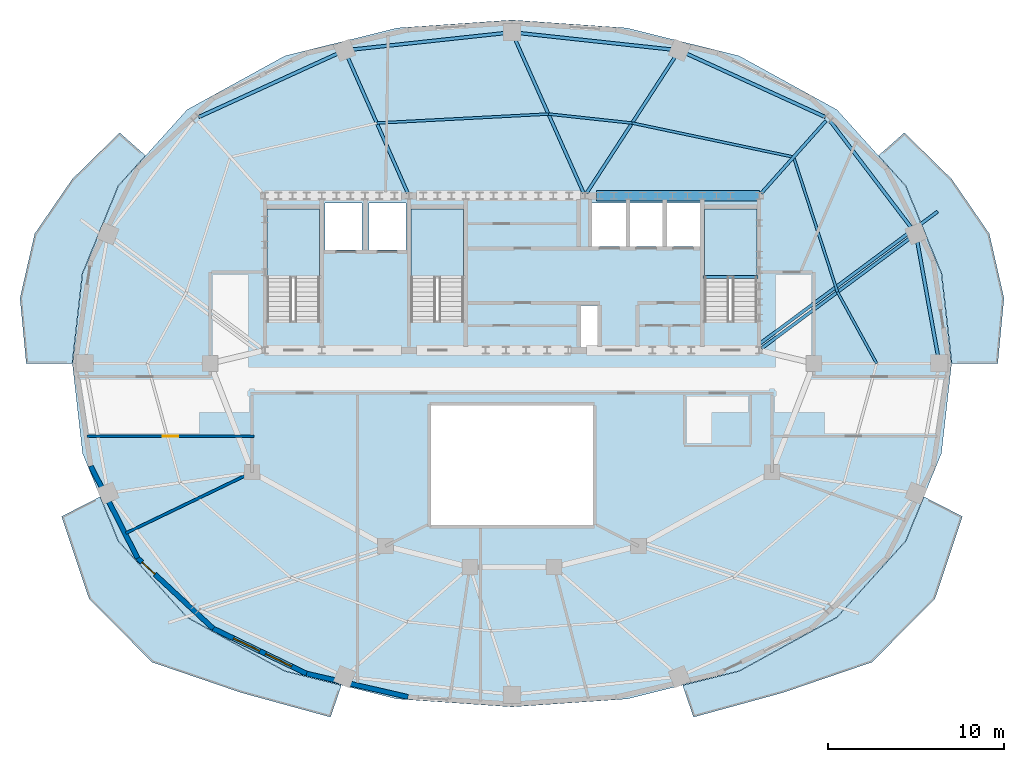
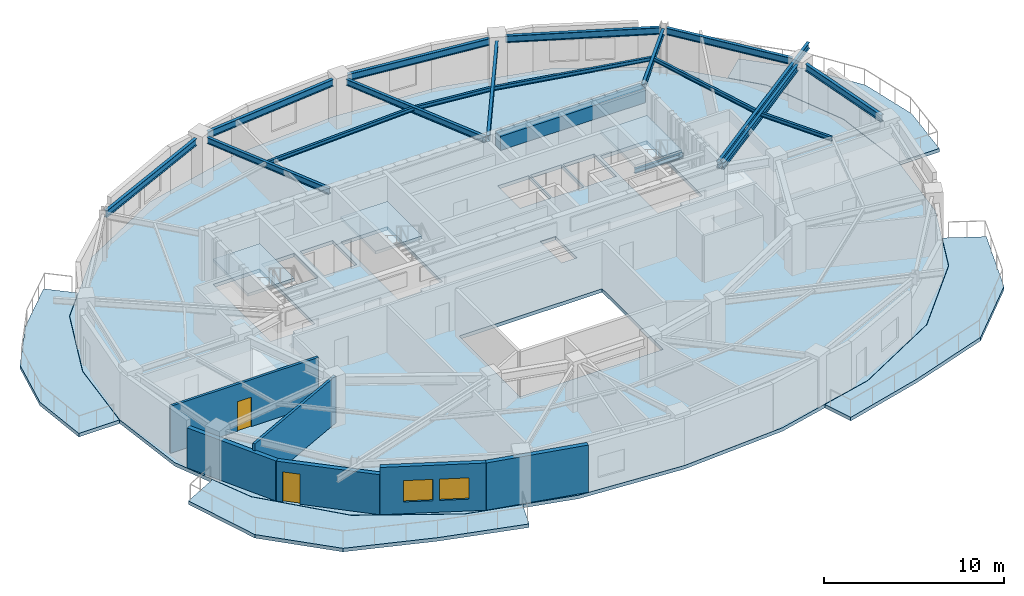
# One storey, part 3 of 10: 19 beams, 8 slabs, 6 walls, 2 doors, 2 windows, 4 openings, 3 elements without a shape of their own.
"""IFC4 building model written with IfcOpenShell, lengths in metres."""

from ifc_helpers import new_model, si_unit, direction, frame, frame_2d, origin, origin_2d, place, context, subcontext, project, spatial, polyline, rectangle, i_section, outline, extrude, material, layer, layer_set, material_profile, profile_set, type_object, element, fill, aggregate, save


model = new_model("IFC4")

# Units and contexts
model_context = context("Model", 3, precision=1e-05, world=origin(), true_north=direction((0.0, 1.0)))
body_context = subcontext(model_context, "Body", "Model", "MODEL_VIEW")
ifc_project = project(units=[si_unit("LENGTHUNIT", "METRE"), si_unit("AREAUNIT", "SQUARE_METRE"), si_unit("VOLUMEUNIT", "CUBIC_METRE"), si_unit("PLANEANGLEUNIT", "RADIAN"), si_unit("MASSUNIT", "GRAM", prefix="KILO")], contexts=[model_context])

# Site, building, storey
site_placement = place(None, origin())
site = spatial("IfcSite", under=ifc_project, at=site_placement, CompositionType="ELEMENT")
building_placement = place(site_placement, origin())
building = spatial("IfcBuilding", under=site, at=building_placement, Name="Haldorwick Loom Tower", CompositionType="ELEMENT")
storey_placement = place(building_placement, frame((0.0, 0.0, 259.199951171875)))
storey = spatial("IfcBuildingStorey", under=building, at=storey_placement, Name="L70", CompositionType="ELEMENT", Elevation=259.199951171875)

# Beams
ifc_material_1 = material(Name="Steel CSA G40.21 350W", Category="steel")
ifc_material_profile_1 = material_profile(ifc_material_1, i_section(OverallWidth=0.179931640625, OverallDepth=0.4130859375, WebThickness=0.009765625, FlangeThickness=0.01611328125, at=origin_2d()), Name="W410X74", Category="steel")
ifc_profile_set_1 = profile_set([ifc_material_profile_1], Name="Steel CSA G40.21 350W")
beam_type_1 = type_object("IfcBeamType", Name="STR-BM-BAL410", PredefinedType="BEAM", material=ifc_profile_set_1)
beam_1_placement = place(storey_placement, frame((50.040771484375, 27.076904296875, 3.003662109375), z_axis=(0.802796921865, 0.596252549046, 0.0), x_axis=(-0.596252549046, 0.802796921865, 0.0)))
element("IfcBeam", 1, at=beam_1_placement, inside=storey, type_object=beam_type_1, Name="L70 Continuous Back-Spanned Balcony Beam 4", PredefinedType="BEAM", context=body_context, shape_type="SweptSolid", body=[
    extrude(i_section(OverallWidth=0.179931640625, OverallDepth=0.4130859375, WebThickness=0.009765625, FlangeThickness=0.01611328125, at=origin_2d()), origin(), (0.0, 0.0, 1.0), 12.7080078125),
])
ifc_material_2 = material(Name="Concrete C50 (50 MPa)", Category="concrete")
ifc_material_profile_2 = material_profile(ifc_material_2, rectangle(XDim=0.60009765625, YDim=0.949951171875, at=origin_2d()), Name="RC600X950", Category="concrete")
ifc_profile_set_2 = profile_set([ifc_material_profile_2], Name="Concrete C50 (50 MPa)")
beam_type_2 = type_object("IfcBeamType", Name="STR-BM-CB950", PredefinedType="LINTEL", material=ifc_profile_set_2)
beam_2_placement = place(storey_placement, frame((40.800048828125, 35.550048828125, 2.735107421875), z_axis=(1.0, 0.0, 0.0), x_axis=(0.0, 1.0, 0.0)))
element("IfcBeam", 2, at=beam_2_placement, inside=storey, type_object=beam_type_2, Name="L70 Core Coupling Beam CB-N3", PredefinedType="LINTEL", context=body_context, shape_type="SweptSolid", body=[
    extrude(rectangle(XDim=0.60009765625, YDim=0.949951171875, at=origin_2d()), origin(), (0.0, 0.0, 1.0), 9.300048828125),
])
ifc_material_profile_3 = material_profile(ifc_material_1, i_section(OverallWidth=0.14599609375, OverallDepth=0.258056640625, WebThickness=0.006103515625, FlangeThickness=0.009033203125, at=origin_2d()), Name="W250X33", Category="steel")
ifc_profile_set_3 = profile_set([ifc_material_profile_3], Name="Steel CSA G40.21 350W")
beam_type_3 = type_object("IfcBeamType", Name="STR-BM-J250", PredefinedType="JOIST", material=ifc_profile_set_3)
beam_3_placement = place(storey_placement, frame((56.768310546875, 26.0, 3.0810546875), z_axis=(-0.480863931781, 0.876795232145, 0.0), x_axis=(-0.876795232145, -0.480863931781, 0.0)))
element("IfcBeam", 3, at=beam_3_placement, inside=storey, type_object=beam_type_3, Name="L70 Mid-Bay Secondary Joist 1", PredefinedType="JOIST", context=body_context, shape_type="SweptSolid", body=[
    extrude(i_section(OverallWidth=0.14599609375, OverallDepth=0.258056640625, WebThickness=0.006103515625, FlangeThickness=0.009033203125, at=origin_2d()), origin(), (0.0, 0.0, 1.0), 4.639404296875),
])
beam_4_placement = place(storey_placement, frame((54.537353515625, 30.06787109375, 3.0810546875), z_axis=(-0.309277990337, 0.95097167397, 0.0), x_axis=(-0.95097167397, -0.309277990337, 0.0)))
element("IfcBeam", 4, at=beam_4_placement, inside=storey, type_object=beam_type_3, Name="L70 Mid-Bay Secondary Joist 2", PredefinedType="JOIST", context=body_context, shape_type="SweptSolid", body=[
    extrude(i_section(OverallWidth=0.14599609375, OverallDepth=0.258056640625, WebThickness=0.006103515625, FlangeThickness=0.009033203125, at=origin_2d()), origin(), (0.0, 0.0, 1.0), 8.08251953125),
])
beam_5_placement = place(storey_placement, frame((52.03759765625, 37.754150390625, 3.0810546875), z_axis=(-0.978553918403, 0.205990846344, 0.0), x_axis=(-0.205990846344, -0.978553918403, 0.0)))
element("IfcBeam", 5, at=beam_5_placement, inside=storey, type_object=beam_type_3, Name="L70 Mid-Bay Secondary Joist 3", PredefinedType="JOIST", context=body_context, shape_type="SweptSolid", body=[
    extrude(i_section(OverallWidth=0.14599609375, OverallDepth=0.258056640625, WebThickness=0.006103515625, FlangeThickness=0.009033203125, at=origin_2d()), origin(), (0.0, 0.0, 1.0), 9.39990234375),
])
beam_6_placement = place(storey_placement, frame((42.83935546875, 39.6904296875, 3.0810546875), z_axis=(-0.994216460534, 0.10739473732, 0.0), x_axis=(-0.10739473732, -0.994216460534, 0.0)))
element("IfcBeam", 6, at=beam_6_placement, inside=storey, type_object=beam_type_3, Name="L70 Mid-Bay Secondary Joist 4", PredefinedType="JOIST", context=body_context, shape_type="SweptSolid", body=[
    extrude(i_section(OverallWidth=0.14599609375, OverallDepth=0.258056640625, WebThickness=0.006103515625, FlangeThickness=0.009033203125, at=origin_2d()), origin(), (0.0, 0.0, 1.0), 4.792236328125),
])
beam_7_placement = place(storey_placement, frame((38.074951171875, 40.205078125, 3.0810546875), z_axis=(-0.998616726661, -0.052579779693, 0.0), x_axis=(0.052579779693, -0.998616726661, 0.0)))
element("IfcBeam", 7, at=beam_7_placement, inside=storey, type_object=beam_type_3, Name="L70 Mid-Bay Secondary Joist 5", PredefinedType="JOIST", context=body_context, shape_type="SweptSolid", body=[
    extrude(i_section(OverallWidth=0.14599609375, OverallDepth=0.258056640625, WebThickness=0.006103515625, FlangeThickness=0.009033203125, at=origin_2d()), origin(), (0.0, 0.0, 1.0), 9.787841796875),
])
ifc_material_profile_4 = material_profile(ifc_material_1, i_section(OverallWidth=0.179931640625, OverallDepth=0.4130859375, WebThickness=0.009765625, FlangeThickness=0.01611328125, at=origin_2d()), Name="W410X74", Category="steel")
ifc_profile_set_4 = profile_set([ifc_material_profile_4], Name="Steel CSA G40.21 350W")
beam_type_4 = type_object("IfcBeamType", Name="STR-BM-J410", PredefinedType="JOIST", material=ifc_profile_set_4)
beam_8_placement = place(storey_placement, frame((50.207763671875, 26.852294921875, 3.003662109375), z_axis=(0.802802773234, 0.596244670658, 0.0), x_axis=(-0.596244670658, 0.802802773234, 0.0)))
element("IfcBeam", 8, at=beam_8_placement, inside=storey, type_object=beam_type_4, Name="L70 Radial Floor Girder 2", PredefinedType="JOIST", context=body_context, shape_type="SweptSolid", body=[
    extrude(i_section(OverallWidth=0.179931640625, OverallDepth=0.4130859375, WebThickness=0.009765625, FlangeThickness=0.01611328125, at=origin_2d()), origin(), (0.0, 0.0, 1.0), 10.482666015625),
])
beam_9_placement = place(storey_placement, frame((50.18408203125, 35.677978515625, 3.003662109375), z_axis=(0.665970391236, 0.745978175282, 0.0), x_axis=(-0.745978175282, 0.665970391236, 0.0)))
element("IfcBeam", 9, at=beam_9_placement, inside=storey, type_object=beam_type_4, Name="L70 Radial Floor Girder 3", PredefinedType="JOIST", context=body_context, shape_type="SweptSolid", body=[
    extrude(i_section(OverallWidth=0.179931640625, OverallDepth=0.4130859375, WebThickness=0.009765625, FlangeThickness=0.01611328125, at=origin_2d()), origin(), (0.0, 0.0, 1.0), 5.559814453125),
])
beam_10_placement = place(storey_placement, frame((40.243408203125, 35.69384765625, 3.003662109375), z_axis=(0.544714921264, 0.838621281958, 0.0), x_axis=(-0.838621281958, 0.544714921264, 0.0)))
element("IfcBeam", 10, at=beam_10_placement, inside=storey, type_object=beam_type_4, Name="L70 Radial Floor Girder 4", PredefinedType="JOIST", context=body_context, shape_type="SweptSolid", body=[
    extrude(i_section(OverallWidth=0.179931640625, OverallDepth=0.4130859375, WebThickness=0.009765625, FlangeThickness=0.01611328125, at=origin_2d()), origin(), (0.0, 0.0, 1.0), 9.22802734375),
])
beam_11_placement = place(storey_placement, frame((40.080078125, 35.70654296875, 3.003662109375), z_axis=(-0.407125301808, 0.913372316543, 0.0), x_axis=(-0.913372316543, -0.407125301808, 0.0)))
element("IfcBeam", 11, at=beam_11_placement, inside=storey, type_object=beam_type_4, Name="L70 Radial Floor Girder 5", PredefinedType="JOIST", context=body_context, shape_type="SweptSolid", body=[
    extrude(i_section(OverallWidth=0.179931640625, OverallDepth=0.4130859375, WebThickness=0.009765625, FlangeThickness=0.01611328125, at=origin_2d()), origin(), (0.0, 0.0, 1.0), 9.546630859375),
])
beam_12_placement = place(storey_placement, frame((30.060791015625, 35.706787109375, 3.003662109375), z_axis=(-0.404157067806, 0.914689600106, 0.0), x_axis=(-0.914689600106, -0.404157067806, 0.0)))
element("IfcBeam", 12, at=beam_12_placement, inside=storey, type_object=beam_type_4, Name="L70 Radial Floor Girder 6", PredefinedType="JOIST", context=body_context, shape_type="SweptSolid", body=[
    extrude(i_section(OverallWidth=0.179931640625, OverallDepth=0.4130859375, WebThickness=0.009765625, FlangeThickness=0.01611328125, at=origin_2d()), origin(), (0.0, 0.0, 1.0), 8.406982421875),
])
ifc_material_profile_5 = material_profile(ifc_material_1, i_section(OverallWidth=0.193115234375, OverallDepth=0.466064453125, WebThickness=0.011474609375, FlangeThickness=0.01904296875, at=origin_2d()), Name="W460X97", Category="steel")
ifc_profile_set_5 = profile_set([ifc_material_profile_5], Name="Steel CSA G40.21 350W")
beam_type_5 = type_object("IfcBeamType", Name="STR-BM-SP460", PredefinedType="SPANDREL", material=ifc_profile_set_5)
beam_13_placement = place(storey_placement, frame((60.25244140625, 26.467529296875, 2.97705078125), z_axis=(-0.177515201984, 0.984118058499, 0.0), x_axis=(-0.984118058499, -0.177515201984, 0.0)))
element("IfcBeam", 13, at=beam_13_placement, inside=storey, type_object=beam_type_5, Name="L70 Perimeter Spandrel 1", PredefinedType="SPANDREL", context=body_context, shape_type="SweptSolid", body=[
    extrude(i_section(OverallWidth=0.193115234375, OverallDepth=0.466064453125, WebThickness=0.011474609375, FlangeThickness=0.01904296875, at=origin_2d()), origin(), (0.0, 0.0, 1.0), 6.5546875),
])
beam_14_placement = place(storey_placement, frame((58.717041015625, 33.763916015625, 2.97705078125), z_axis=(-0.605410439126, 0.795913437629, 0.0), x_axis=(-0.795913437629, -0.605410439126, 0.0)))
element("IfcBeam", 14, at=beam_14_placement, inside=storey, type_object=beam_type_5, Name="L70 Perimeter Spandrel 2", PredefinedType="SPANDREL", context=body_context, shape_type="SweptSolid", body=[
    extrude(i_section(OverallWidth=0.193115234375, OverallDepth=0.466064453125, WebThickness=0.011474609375, FlangeThickness=0.01904296875, at=origin_2d()), origin(), (0.0, 0.0, 1.0), 7.604736328125),
])
beam_15_placement = place(storey_placement, frame((53.84326171875, 40.0322265625, 2.97705078125), z_axis=(-0.909567887863, 0.415555360172, 0.0), x_axis=(-0.415555360172, -0.909567887863, 0.0)))
element("IfcBeam", 15, at=beam_15_placement, inside=storey, type_object=beam_type_5, Name="L70 Perimeter Spandrel 3", PredefinedType="SPANDREL", context=body_context, shape_type="SweptSolid", body=[
    extrude(i_section(OverallWidth=0.193115234375, OverallDepth=0.466064453125, WebThickness=0.011474609375, FlangeThickness=0.01904296875, at=origin_2d()), origin(), (0.0, 0.0, 1.0), 8.666259765625),
])
for number, where, z_axis, x_axis, name in (
    (16, (45.056396484375, 43.8818359375, 2.97705078125), (-0.994216353781, 0.107395725588, 0.0), (-0.107395725588, -0.994216353781, 0.0), "L70 Perimeter Spandrel 4"),
    (17, (35.527587890625, 44.80908203125, 2.97705078125), (-0.994216353781, -0.107395725588, 0.0), (0.107395725588, -0.994216353781, 0.0), "L70 Perimeter Spandrel 5"),
):
    element("IfcBeam", number, at=place(storey_placement, frame(where, z_axis=z_axis, x_axis=x_axis)), inside=storey, type_object=beam_type_5, Name=name, PredefinedType="SPANDREL", context=body_context, shape_type="SweptSolid", body=[
        extrude(i_section(OverallWidth=0.193115234375, OverallDepth=0.466064453125, WebThickness=0.011474609375, FlangeThickness=0.01904296875, at=origin_2d()), origin(), (0.0, 0.0, 1.0), 8.634033203125),
    ])
beam_16_placement = place(storey_placement, frame((26.039306640625, 43.633544921875, 2.97705078125), z_axis=(-0.909567887863, -0.415555360172, 0.0), x_axis=(0.415555360172, -0.909567887863, 0.0)))
element("IfcBeam", 18, at=beam_16_placement, inside=storey, type_object=beam_type_5, Name="L70 Perimeter Spandrel 6", PredefinedType="SPANDREL", context=body_context, shape_type="SweptSolid", body=[
    extrude(i_section(OverallWidth=0.193115234375, OverallDepth=0.466064453125, WebThickness=0.011474609375, FlangeThickness=0.01904296875, at=origin_2d()), origin(), (0.0, 0.0, 1.0), 8.666259765625),
])
ifc_material_profile_6 = material_profile(ifc_material_1, i_section(OverallWidth=0.166015625, OverallDepth=0.31298828125, WebThickness=0.006591796875, FlangeThickness=0.01123046875, at=origin_2d()), Name="W310X45", Category="steel")
ifc_profile_set_6 = profile_set([ifc_material_profile_6], Name="Steel CSA G40.21 350W")
beam_type_6 = type_object("IfcBeamType", Name="STR-BM-STRM", PredefinedType="BEAM", material=ifc_profile_set_6)
beam_17_placement = place(storey_placement, frame((46.889892578125, 30.919921875, 1.36865234375), z_axis=(1.0, 0.0, 0.0), x_axis=(0.0, 1.0, 0.0)))
element("IfcBeam", 19, at=beam_17_placement, inside=storey, type_object=beam_type_6, Name="L70 Stair ST-02 Half-Landing Trimmer 1", PredefinedType="BEAM", context=body_context, shape_type="SweptSolid", body=[
    extrude(i_section(OverallWidth=0.166015625, OverallDepth=0.31298828125, WebThickness=0.006591796875, FlangeThickness=0.01123046875, at=origin_2d()), origin(), (0.0, 0.0, 1.0), 3.1201171875),
])

# Slabs
ifc_material_3 = material(Name="Concrete C40 (40 MPa)", Category="concrete")
ifc_layer_1 = layer(ifc_material_3, 0.239990234375, Name="Concrete C40 (40 MPa)", Category="concrete")
ifc_layer_set_1 = layer_set([ifc_layer_1], Name="Concrete C40 (40 MPa)")
slab_type_1 = type_object("IfcSlabType", Name="STR-SLB-BAL240", PredefinedType="FLOOR", material=ifc_layer_set_1)
slab_1_placement = place(storey_placement, frame((0.0, 0.0, -0.239990234375)))
element("IfcSlab", 20, at=slab_1_placement, inside=storey, type_object=slab_type_1, Name="L70 Sinusoidal Balcony Terrace BAL_SE", PredefinedType="FLOOR", context=body_context, shape_type="SweptSolid", body=[
    extrude(outline(polyline([(59.459716796875, 18.406494140625), (58.427978515625, 15.88427734375), (58.427490234375, 15.883056640625), (58.4267578125, 15.882080078125), (58.426025390625, 15.881103515625), (58.42529296875, 15.8798828125), (54.51123046875, 11.53662109375), (54.51025390625, 11.535400390625), (54.5087890625, 11.534423828125), (54.50732421875, 11.53369140625), (48.947998046875, 8.475830078125), (48.947021484375, 8.475341796875), (48.94580078125, 8.474853515625), (48.9443359375, 8.474365234375), (45.71826171875, 7.6689453125), (46.336181640625, 5.855224609375), (51.416748046875, 7.248291015625), (56.5009765625, 8.985595703125), (60.086669921875, 12.603271484375), (61.65380859375, 17.28466796875), (59.459716796875, 18.406494140625)])), origin(), (0.0, 0.0, 1.0), 0.239990234375),
])
slab_2_placement = place(storey_placement, frame((0.0, 0.0, -0.239990234375)))
element("IfcSlab", 21, at=slab_2_placement, inside=storey, type_object=slab_type_1, Name="L70 Sinusoidal Balcony Terrace BAL_SW", PredefinedType="FLOOR", context=body_context, shape_type="SweptSolid", body=[
    extrude(outline(polyline([(26.28173828125, 7.6689453125), (23.0556640625, 8.474365234375), (23.05419921875, 8.474853515625), (23.052978515625, 8.475341796875), (23.052001953125, 8.475830078125), (17.49267578125, 11.53369140625), (17.4912109375, 11.534423828125), (17.48974609375, 11.535400390625), (17.48876953125, 11.53662109375), (13.57470703125, 15.8798828125), (13.573974609375, 15.881103515625), (13.5732421875, 15.882080078125), (13.572509765625, 15.883056640625), (13.572021484375, 15.88427734375), (12.540283203125, 18.406494140625), (10.34619140625, 17.28466796875), (11.913330078125, 12.603271484375), (15.4990234375, 8.985595703125), (20.583251953125, 7.248291015625), (25.663818359375, 5.855224609375), (26.28173828125, 7.6689453125)])), origin(), (0.0, 0.0, 1.0), 0.239990234375),
])
slab_3_placement = place(storey_placement, frame((0.0, 0.0, -0.239990234375)))
element("IfcSlab", 22, at=slab_3_placement, inside=storey, type_object=slab_type_1, Name="L70 Sinusoidal Balcony Terrace BAL_WNW", PredefinedType="FLOOR", context=body_context, shape_type="SweptSolid", body=[
    extrude(outline(polyline([(10.9482421875, 26.0), (10.9482421875, 26.001708984375), (11.529296875, 31.12109375), (11.529541015625, 31.12255859375), (11.530029296875, 31.123779296875), (11.530517578125, 31.125), (13.572021484375, 36.11572265625), (13.572509765625, 36.116943359375), (13.5732421875, 36.117919921875), (13.573974609375, 36.118896484375), (13.57470703125, 36.1201171875), (15.123779296875, 37.839111328125), (13.65625, 39.140625), (10.956787109375, 36.4970703125), (8.817626953125, 33.386474609375), (7.97998046875, 29.71875), (8.333251953125, 26.0), (10.9482421875, 26.0)])), origin(), (0.0, 0.0, 1.0), 0.239990234375),
])
slab_4_placement = place(storey_placement, frame((0.0, 0.0, -0.239990234375)))
element("IfcSlab", 23, at=slab_4_placement, inside=storey, type_object=slab_type_1, Name="L70 Sinusoidal Balcony Terrace BAL_ENE", PredefinedType="FLOOR", context=body_context, shape_type="SweptSolid", body=[
    extrude(outline(polyline([(56.876220703125, 37.839111328125), (58.42529296875, 36.1201171875), (58.426025390625, 36.118896484375), (58.4267578125, 36.117919921875), (58.427490234375, 36.116943359375), (58.427978515625, 36.11572265625), (60.469482421875, 31.125), (60.469970703125, 31.123779296875), (60.470458984375, 31.12255859375), (60.470703125, 31.12109375), (61.0517578125, 26.001708984375), (61.0517578125, 26.0), (63.666748046875, 26.0), (64.02001953125, 29.71875), (63.182373046875, 33.386474609375), (61.043212890625, 36.4970703125), (58.34375, 39.140625), (56.876220703125, 37.839111328125)])), origin(), (0.0, 0.0, 1.0), 0.239990234375),
])

# Stair, slab
stair_type = type_object("IfcStairType", Name="STR-STR-CORE", PredefinedType="HALF_TURN_STAIR", material=ifc_material_3)
stair_1_placement = place(storey_placement, origin())
stair_1 = element("IfcStair", 24, at=stair_1_placement, inside=storey, type_object=stair_type, Name="L70 Exit Stair ST-01", PredefinedType="HALF_TURN_STAIR")
ifc_layer_2 = layer(ifc_material_3, 0.199951171875, Name="Concrete C40 (40 MPa)", Category="concrete")
ifc_layer_set_2 = layer_set([ifc_layer_2], Name="Concrete C40 (40 MPa)")
slab_type_2 = type_object("IfcSlabType", Name="STR-SLB-LAND200", PredefinedType="LANDING", material=ifc_layer_set_2)
slab_5_placement = place(storey_placement, frame((0.0, 0.0, 1.525146484375)))
slab_5 = element("IfcSlab", 25, at=slab_5_placement, type_object=slab_type_2, Name="ST-01 landing 1", PredefinedType="LANDING", context=body_context, shape_type="SweptSolid", body=[
    extrude(outline(polyline([(25.050048828125, 30.919921875), (25.050048828125, 34.800048828125), (22.050048828125, 34.800048828125), (22.050048828125, 30.919921875), (25.050048828125, 30.919921875)])), origin(), (0.0, 0.0, 1.0), 0.199951171875),
])
aggregate(stair_1, [slab_5])

stair_2_placement = place(storey_placement, origin())
stair_2 = element("IfcStair", 26, at=stair_2_placement, inside=storey, type_object=stair_type, Name="L70 Exit Stair ST-02", PredefinedType="HALF_TURN_STAIR")
slab_6_placement = place(storey_placement, frame((0.0, 0.0, 1.525146484375)))
slab_6 = element("IfcSlab", 27, at=slab_6_placement, type_object=slab_type_2, Name="ST-02 landing 1", PredefinedType="LANDING", context=body_context, shape_type="SweptSolid", body=[
    extrude(outline(polyline([(49.949951171875, 30.919921875), (49.949951171875, 34.800048828125), (46.949951171875, 34.800048828125), (46.949951171875, 30.919921875), (49.949951171875, 30.919921875)])), origin(), (0.0, 0.0, 1.0), 0.199951171875),
])
aggregate(stair_2, [slab_6])

stair_3_placement = place(storey_placement, origin())
stair_3 = element("IfcStair", 28, at=stair_3_placement, inside=storey, type_object=stair_type, Name="L70 Exit Stair ST-03", PredefinedType="HALF_TURN_STAIR")
slab_7_placement = place(storey_placement, frame((0.0, 0.0, 1.525146484375)))
slab_7 = element("IfcSlab", 29, at=slab_7_placement, type_object=slab_type_2, Name="ST-03 landing 1", PredefinedType="LANDING", context=body_context, shape_type="SweptSolid", body=[
    extrude(outline(polyline([(33.25, 30.919921875), (33.25, 34.800048828125), (30.25, 34.800048828125), (30.25, 30.919921875), (33.25, 30.919921875)])), origin(), (0.0, 0.0, 1.0), 0.199951171875),
])
aggregate(stair_3, [slab_7])

# Slab
ifc_layer_3 = layer(ifc_material_3, 0.239990234375, Name="Concrete C40 (40 MPa)", Category="concrete")
ifc_layer_set_3 = layer_set([ifc_layer_3], Name="Concrete C40 (40 MPa)")
slab_type_3 = type_object("IfcSlabType", Name="STR-SLB-RES240", PredefinedType="FLOOR", material=ifc_layer_set_3)
slab_8_placement = place(storey_placement, frame((0.0, 0.0, -0.239990234375)))
element("IfcSlab", 30, at=slab_8_placement, inside=storey, type_object=slab_type_3, Name="L70 Residential Structural Floor Slab", PredefinedType="FLOOR", context=body_context, shape_type="SweptSolid", body=[
    extrude(outline(polyline([(54.500244140625, 11.546630859375), (58.4140625, 15.889892578125), (60.455810546875, 20.880615234375), (61.036865234375, 26.0), (60.455810546875, 31.119384765625), (58.4140625, 36.110107421875), (54.500244140625, 40.453369140625), (48.94091796875, 43.510986328125), (42.552978515625, 45.10595703125), (36.0, 45.56005859375), (29.447021484375, 45.10595703125), (23.05908203125, 43.510986328125), (17.499755859375, 40.453369140625), (13.5859375, 36.110107421875), (11.544189453125, 31.119384765625), (10.963134765625, 26.0), (11.544189453125, 20.880615234375), (13.5859375, 15.889892578125), (17.499755859375, 11.546630859375), (23.05908203125, 8.489013671875), (29.447021484375, 6.89404296875), (36.0, 6.43994140625), (42.552978515625, 6.89404296875), (48.94091796875, 8.489013671875), (54.500244140625, 11.546630859375)]), holes=[polyline([(31.39990234375, 16.800048828125), (31.39990234375, 23.60009765625), (40.60009765625, 23.60009765625), (40.60009765625, 16.800048828125), (31.39990234375, 16.800048828125)]), polyline([(40.89990234375, 26.89990234375), (39.89990234375, 26.89990234375), (39.89990234375, 29.300048828125), (40.89990234375, 29.300048828125), (40.89990234375, 26.89990234375)]), polyline([(23.6201171875, 28.39990234375), (22.050048828125, 28.39990234375), (22.050048828125, 34.800048828125), (25.050048828125, 34.800048828125), (25.050048828125, 28.639892578125), (23.6201171875, 28.639892578125), (23.6201171875, 28.39990234375)]), polyline([(30.25, 28.39990234375), (30.25, 34.800048828125), (33.25, 34.800048828125), (33.25, 28.639892578125), (31.820068359375, 28.639892578125), (31.820068359375, 28.39990234375), (30.25, 28.39990234375)]), polyline([(46.949951171875, 28.39990234375), (46.949951171875, 34.800048828125), (49.949951171875, 34.800048828125), (49.949951171875, 28.639892578125), (48.52001953125, 28.639892578125), (48.52001953125, 28.39990234375), (46.949951171875, 28.39990234375)]), polyline([(27.449951171875, 32.449951171875), (25.35009765625, 32.449951171875), (25.35009765625, 35.14990234375), (27.449951171875, 35.14990234375), (27.449951171875, 32.449951171875)]), polyline([(29.949951171875, 32.449951171875), (27.85009765625, 32.449951171875), (27.85009765625, 35.14990234375), (29.949951171875, 35.14990234375), (29.949951171875, 32.449951171875)]), polyline([(42.550048828125, 32.64990234375), (40.550048828125, 32.64990234375), (40.550048828125, 35.14990234375), (42.550048828125, 35.14990234375), (42.550048828125, 32.64990234375)]), polyline([(42.64990234375, 32.64990234375), (42.64990234375, 35.14990234375), (44.64990234375, 35.14990234375), (44.64990234375, 32.64990234375), (42.64990234375, 32.64990234375)]), polyline([(44.75, 32.64990234375), (44.75, 35.14990234375), (46.75, 35.14990234375), (46.75, 32.64990234375), (44.75, 32.64990234375)])]), origin(), (0.0, 0.0, 1.0), 0.239990234375),
])

# Wall
ifc_material_4 = material(Name="Pressed Clay Face Brick and Insulated Masonry Backup Assembly", Category="masonry")
ifc_layer_4 = layer(ifc_material_4, 0.280029296875, Name="Pressed Clay Face Brick and Insulated Masonry Backup Assembly", Category="masonry")
ifc_layer_set_4 = layer_set([ifc_layer_4], Name="Pressed Clay Face Brick and Insulated Masonry Backup Assembly")
wall_type_1 = type_object("IfcWallType", Name="ARC-WL-EXT280", PredefinedType="STANDARD", material=ifc_layer_set_4)
wall_1_placement = place(storey_placement, frame((12.013671875, 20.151123046875, 0.0), z_axis=(0.0, 0.0, 1.0), x_axis=(0.453100705059, -0.89145933787, 0.0)))
element("IfcWall", 31, at=wall_1_placement, inside=storey, type_object=wall_type_1, Name="L70 Brick Pier and Spandrel Wall 14", PredefinedType="STANDARD", context=body_context, shape_type="SweptSolid", body=[
    extrude(rectangle(XDim=5.879150390625, YDim=0.280029296875, at=frame_2d((2.939453125, 0.0))), origin(), (0.0, 0.0, 1.0), 2.718994140625),
])

# Wall, opening, door
wall_2_placement = place(storey_placement, frame((14.677490234375, 14.91015625, 0.0), z_axis=(0.0, 0.0, 1.0), x_axis=(0.731924682982, -0.68138554317, 0.0)))
wall_2 = element("IfcWall", 32, at=wall_2_placement, inside=storey, type_object=wall_type_1, Name="L70 Brick Pier and Spandrel Wall 15", PredefinedType="STANDARD", context=body_context, shape_type="SweptSolid", body=[
    extrude(rectangle(XDim=5.87890625, YDim=0.280029296875, at=frame_2d((2.939453125, 0.0))), origin(), (0.0, 0.0, 1.0), 2.718994140625),
])
opening_1_placement = place(wall_2_placement, frame((0.340087890625, 0.0, 0.0)))
opening_1 = element("IfcOpeningElement", 33, at=opening_1_placement, cuts=wall_2, Name="Opening D-BL10", PredefinedType="OPENING", context=body_context, shape_type="SweptSolid", body=[
    extrude(rectangle(XDim=1.0, YDim=2.0400390625, at=frame_2d((0.5, 1.02001953125))), frame((0.0, 0.14990234375, 0.0), z_axis=(0.0, -1.0, 0.0), x_axis=(1.0, 0.0, 0.0)), (0.0, 0.0, 1.0), 0.300048828125),
])
ifc_material_5 = material(Name="Thermally Broken Anodized Aluminium Curtain Wall Framing", Category="aluminium")
door_type_1 = type_object("IfcDoorType", Name="ARC-DR-BAL100", OperationType="NOTDEFINED", PredefinedType="DOOR", material=ifc_material_5)
door_1_placement = place(opening_1_placement, origin())
door_1 = element("IfcDoor", 34, at=door_1_placement, inside=storey, type_object=door_type_1, Name="L70 Outdoor Terrace Door SLB-L70-BAL_SW", OperationType="SINGLE_SWING_LEFT", OverallHeight=2.0400390625, OverallWidth=1.0, PredefinedType="DOOR", context=body_context, shape_type="SweptSolid", body=[
    extrude(rectangle(XDim=1.0, YDim=2.0400390625, at=frame_2d((0.5, 1.02001953125))), frame((0.0, 0.02490234375, 0.0), z_axis=(0.0, -1.0, 0.0), x_axis=(1.0, 0.0, 0.0)), (0.0, 0.0, 1.0), 0.050048828125),
])
fill(opening_1, door_1)

# Wall, openings, windows
wall_3_placement = place(storey_placement, frame((18.98046875, 10.904296875, 0.0), z_axis=(0.0, 0.0, 1.0), x_axis=(0.900481907967, -0.434893473651, 0.0)))
wall_3 = element("IfcWall", 35, at=wall_3_placement, inside=storey, type_object=wall_type_1, Name="L70 Brick Pier and Spandrel Wall 16", PredefinedType="STANDARD", context=body_context, shape_type="SweptSolid", body=[
    extrude(rectangle(XDim=5.90966796875, YDim=0.280029296875, at=frame_2d((2.954833984375, 0.0))), origin(), (0.0, 0.0, 1.0), 3.2099609375),
])
opening_2_placement = place(wall_3_placement, frame((1.29443359375, 0.0, 0.800048828125)))
opening_2 = element("IfcOpeningElement", 36, at=opening_2_placement, cuts=wall_3, Name="Opening W-01B", PredefinedType="OPENING", context=body_context, shape_type="SweptSolid", body=[
    extrude(rectangle(XDim=1.64990234375, YDim=1.449951171875, at=frame_2d((0.824951171875, 0.72509765625))), frame((0.0, 0.14990234375, 0.0), z_axis=(0.0, -1.0, 0.0), x_axis=(1.0, 0.0, 0.0)), (0.0, 0.0, 1.0), 0.300048828125),
])
opening_3_placement = place(wall_3_placement, frame((3.311767578125, 0.0, 0.800048828125)))
opening_3 = element("IfcOpeningElement", 37, at=opening_3_placement, cuts=wall_3, Name="Opening W-01B", PredefinedType="OPENING", context=body_context, shape_type="SweptSolid", body=[
    extrude(rectangle(XDim=1.64990234375, YDim=1.449951171875, at=frame_2d((0.824951171875, 0.72509765625))), frame((0.0, 0.14990234375, 0.0), z_axis=(0.0, -1.0, 0.0), x_axis=(1.0, 0.0, 0.0)), (0.0, 0.0, 1.0), 0.300048828125),
])
ifc_material_6 = material(Name="Triple-Glazed Low-E Argon Insulated Glazing Unit", Category="glass")
window_type = type_object("IfcWindowType", Name="ARC-WIN-W165", PartitioningType="SINGLE_PANEL", PredefinedType="WINDOW", material=ifc_material_6)
window_1_placement = place(opening_2_placement, origin())
window_1 = element("IfcWindow", 38, at=window_1_placement, inside=storey, type_object=window_type, Name="L70 Deep-Set Zone 7A Window 16", OverallHeight=1.449951171875, OverallWidth=1.64990234375, PartitioningType="SINGLE_PANEL", PredefinedType="WINDOW", context=body_context, shape_type="SweptSolid", body=[
    extrude(rectangle(XDim=1.64990234375, YDim=1.449951171875, at=frame_2d((0.824951171875, 0.72509765625))), frame((0.0, 0.030029296875, 0.0), z_axis=(0.0, -1.0, 0.0), x_axis=(1.0, 0.0, 0.0)), (0.0, 0.0, 1.0), 0.06005859375),
])
fill(opening_2, window_1)
window_2_placement = place(opening_3_placement, origin())
window_2 = element("IfcWindow", 39, at=window_2_placement, inside=storey, type_object=window_type, Name="L70 Deep-Set Zone 7A Window 16", OverallHeight=1.449951171875, OverallWidth=1.64990234375, PartitioningType="SINGLE_PANEL", PredefinedType="WINDOW", context=body_context, shape_type="SweptSolid", body=[
    extrude(rectangle(XDim=1.64990234375, YDim=1.449951171875, at=frame_2d((0.824951171875, 0.72509765625))), frame((0.0, 0.030029296875, 0.0), z_axis=(0.0, -1.0, 0.0), x_axis=(1.0, 0.0, 0.0)), (0.0, 0.0, 1.0), 0.06005859375),
])
fill(opening_3, window_2)

# Wall
wall_4_placement = place(storey_placement, frame((24.302001953125, 8.334228515625, 0.0), z_axis=(0.0, 0.0, 1.0), x_axis=(0.974589984037, -0.223996345987, 0.0)))
element("IfcWall", 40, at=wall_4_placement, inside=storey, type_object=wall_type_1, Name="L70 Brick Pier and Spandrel Wall 17", PredefinedType="STANDARD", context=body_context, shape_type="SweptSolid", body=[
    extrude(rectangle(XDim=5.92919921875, YDim=0.280029296875, at=frame_2d((2.964599609375, 0.0))), origin(), (0.0, 0.0, 1.0), 3.2099609375),
])

# Wall, opening, door
ifc_material_7 = material(Name="Fire-Rated Type X Gypsum Stud Assembly EI 60")
ifc_layer_5 = layer(ifc_material_7, 0.159912109375, Name="Fire-Rated Type X Gypsum Stud Assembly EI 60")
ifc_layer_set_5 = layer_set([ifc_layer_5], Name="Fire-Rated Type X Gypsum Stud Assembly EI 60")
wall_type_2 = type_object("IfcWallType", Name="ARC-WL-FIRE160", PredefinedType="PARTITIONING", material=ifc_layer_set_5)
wall_5_placement = place(storey_placement, frame((11.800537109375, 21.85009765625, 0.0), z_axis=(0.0, 0.0, 1.0), x_axis=(1.0, 0.0, 0.0)))
wall_5 = element("IfcWall", 41, at=wall_5_placement, inside=storey, type_object=wall_type_2, Name="L70 Residential Fire Partition L70-CR-SPW", PredefinedType="PARTITIONING", context=body_context, shape_type="SweptSolid", body=[
    extrude(rectangle(XDim=9.49951171875, YDim=0.159912109375, at=frame_2d((4.749755859375, 0.0))), origin(), (0.0, 0.0, 1.0), 3.195068359375),
])
opening_4_placement = place(wall_5_placement, frame((4.2998046875, 0.0, 0.0)))
opening_4 = element("IfcOpeningElement", 42, at=opening_4_placement, cuts=wall_5, Name="Opening D-FD60A", PredefinedType="OPENING", context=body_context, shape_type="SweptSolid", body=[
    extrude(rectangle(XDim=0.89990234375, YDim=2.0, at=frame_2d((0.449951171875, 1.0))), frame((0.0, 0.08984375, 0.0), z_axis=(0.0, -1.0, 0.0), x_axis=(1.0, 0.0, 0.0)), (0.0, 0.0, 1.0), 0.179931640625),
])
ifc_material_8 = material(Name="Hollow Steel Fire Door Assembly", Category="steel")
door_type_2 = type_object("IfcDoorType", Name="ARC-DR-FD60-90", OperationType="NOTDEFINED", PredefinedType="DOOR", material=ifc_material_8)
door_2_placement = place(opening_4_placement, origin())
door_2 = element("IfcDoor", 43, at=door_2_placement, inside=storey, type_object=door_type_2, Name="L70 L70 Central Residential Corridor to Community Library Room 1 Door", OperationType="SINGLE_SWING_LEFT", OverallHeight=2.0, OverallWidth=0.89990234375, PredefinedType="DOOR", context=body_context, shape_type="SweptSolid", body=[
    extrude(rectangle(XDim=0.89990234375, YDim=2.0, at=frame_2d((0.449951171875, 1.0))), frame((0.0, 0.02490234375, 0.0), z_axis=(0.0, -1.0, 0.0), x_axis=(1.0, 0.0, 0.0)), (0.0, 0.0, 1.0), 0.050048828125),
])
fill(opening_4, door_2)

# Wall
wall_6_placement = place(storey_placement, frame((21.199951171875, 19.800048828125, 0.0), z_axis=(0.0, 0.0, 1.0), x_axis=(-0.900843191741, -0.43414461173, 0.0)))
element("IfcWall", 44, at=wall_6_placement, inside=storey, type_object=wall_type_2, Name="L70 Residential Fire Partition L70-ICR-10", PredefinedType="PARTITIONING", context=body_context, shape_type="SweptSolid", body=[
    extrude(rectangle(XDim=7.987060546875, YDim=0.159912109375, at=frame_2d((3.99365234375, 0.0))), origin(), (0.0, 0.0, 1.0), 3.195068359375),
])

save(model, "model.ifc")
